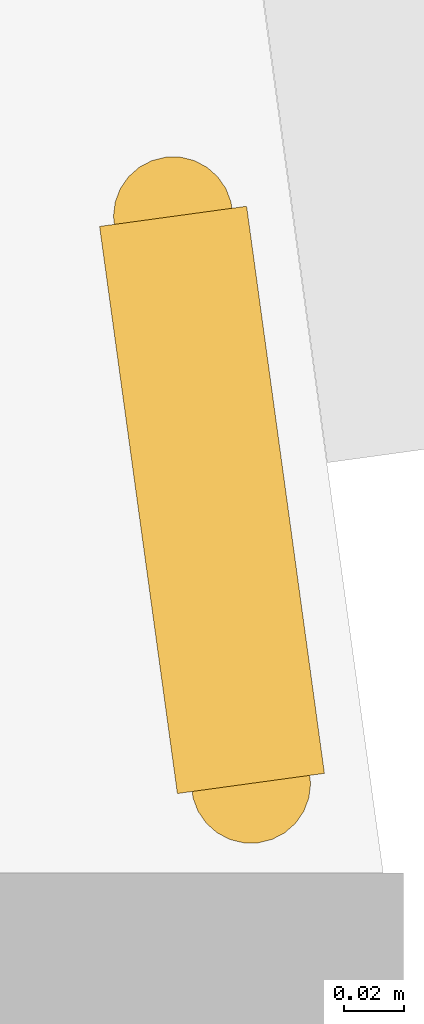
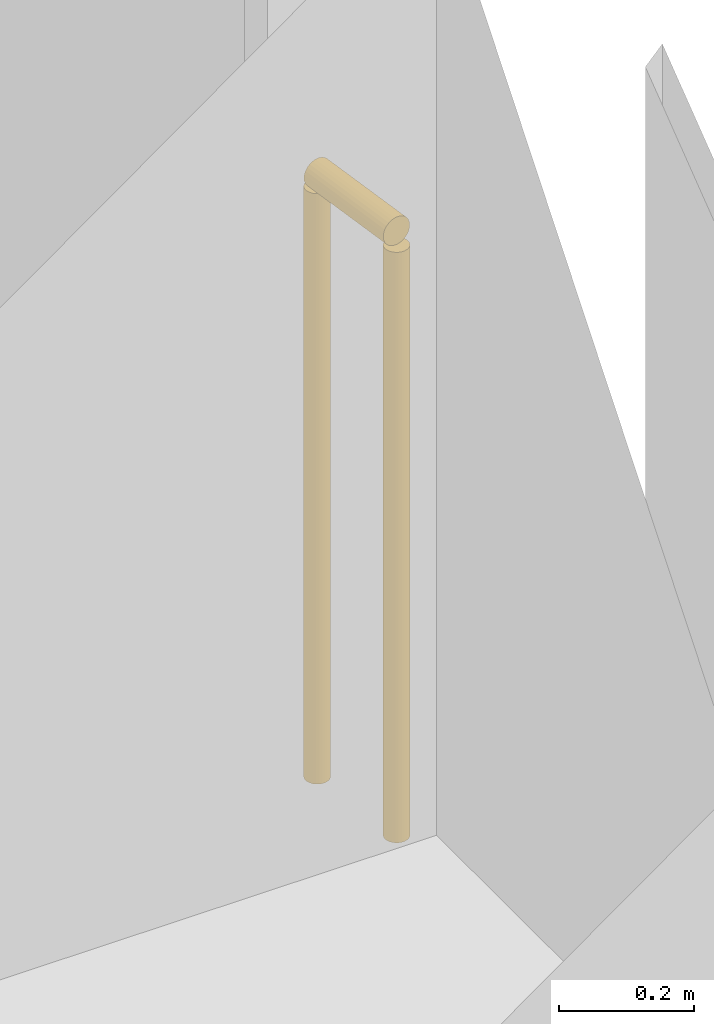
# One storey, part 27 of 27: 1 railing.
"""IFC4 building model written with IfcOpenShell, lengths in metres."""

from ifc_helpers import new_model, si_unit, direction, frame, origin, origin_2d, place, context, subcontext, project, spatial, circle, extrude, material, type_object, element, save


model = new_model("IFC4")

# Units and contexts
model_context = context("Model", 3, precision=1e-05, world=origin(), true_north=direction((0.0, 1.0)))
body_context = subcontext(model_context, "Body", "Model", "MODEL_VIEW")
ifc_project = project(units=[si_unit("LENGTHUNIT", "METRE"), si_unit("AREAUNIT", "SQUARE_METRE"), si_unit("VOLUMEUNIT", "CUBIC_METRE"), si_unit("PLANEANGLEUNIT", "RADIAN"), si_unit("MASSUNIT", "GRAM", prefix="KILO")], contexts=[model_context])

# Site, building, storey
site_placement = place(None, origin())
site = spatial("IfcSite", under=ifc_project, at=site_placement, CompositionType="ELEMENT")
building_placement = place(site_placement, origin())
building = spatial("IfcBuilding", under=site, at=building_placement, Name="Orlundy Tower", CompositionType="ELEMENT")
storey_placement = place(building_placement, frame((0.0, 0.0, 195.60009765625)))
storey = spatial("IfcBuildingStorey", under=building, at=storey_placement, Name="L51", CompositionType="ELEMENT", Elevation=195.60009765625)

# Railing
ifc_material = material(Name="Stainless steel bronze finish", Category="steel")
railing_type = type_object("IfcRailingType", Name="TG1 terrace guard", PredefinedType="GUARDRAIL", material=ifc_material)
railing_placement = place(storey_placement, frame((38.6787109375, 15.718505859375, 0.0)))
element("IfcRailing", 1, at=railing_placement, inside=storey, type_object=railing_type, Name="Guard TG-L51-E02", PredefinedType="GUARDRAIL", context=body_context, shape_type="SweptSolid", body=[
    extrude(circle(Radius=0.02490234375, at=origin_2d()), frame((0.0, 0.0, 1.09521484375), z_axis=(0.135906686825, -0.990721642277, 0.0), x_axis=(0.990721642277, 0.135906686825, 0.0)), (0.0, 0.0, 1.0), 0.192138671875),
    extrude(circle(Radius=0.02001953125, at=origin_2d()), origin(), (0.0, 0.0, 1.0), 1.070068359375),
    extrude(circle(Radius=0.02001953125, at=origin_2d()), frame((0.026123046875, -0.1904296875, 0.0)), (0.0, 0.0, 1.0), 1.070068359375),
])

save(model, "model.ifc")
